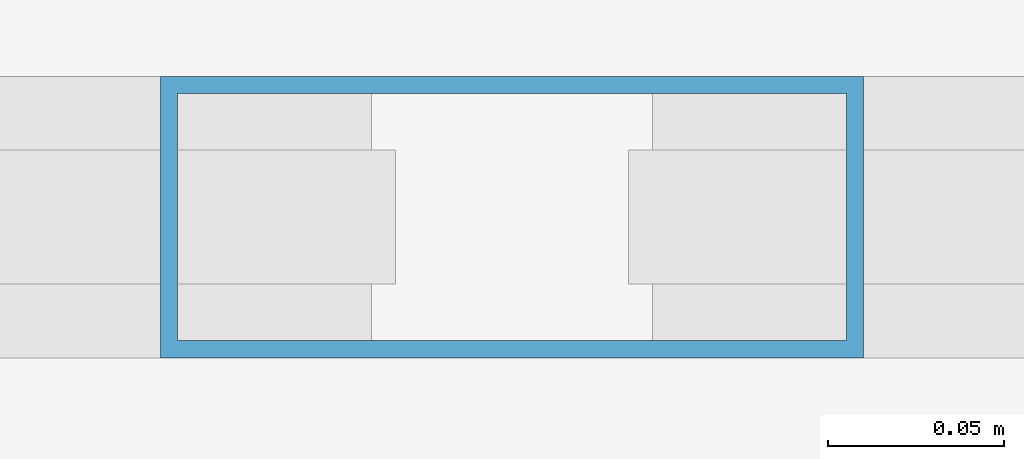
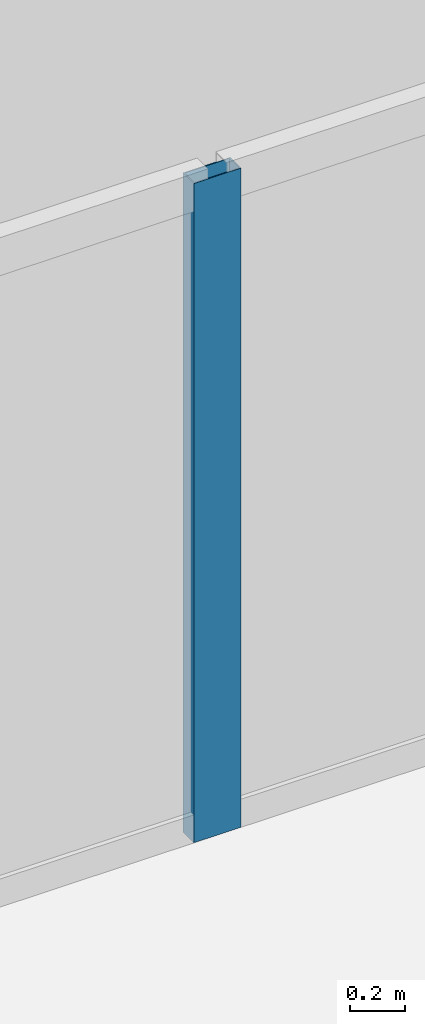
# One storey, part 12 of 21: 1 member, 1 element without a shape of its own.
"""IFC4 building model written with IfcOpenShell, lengths in metres."""

from ifc_helpers import new_model, si_unit, direction, frame, origin, origin_2d, place, context, subcontext, project, spatial, hollow_rectangle, extrude, source, transform, mapped, material, layer, layer_set, material_profile, profile_set, type_object, element, aggregate, save


model = new_model("IFC4")

# Units and contexts
model_context = context("Model", 3, precision=1e-05, world=origin(), true_north=direction((0.0, 1.0)))
body_context = subcontext(model_context, "Body", "Model", "MODEL_VIEW")
ifc_project = project(units=[si_unit("LENGTHUNIT", "METRE"), si_unit("AREAUNIT", "SQUARE_METRE"), si_unit("VOLUMEUNIT", "CUBIC_METRE"), si_unit("PLANEANGLEUNIT", "RADIAN"), si_unit("MASSUNIT", "GRAM", prefix="KILO")], contexts=[model_context])

# Site, building, storey
site_placement = place(None, origin())
site = spatial("IfcSite", under=ifc_project, at=site_placement, CompositionType="ELEMENT")
building_placement = place(site_placement, origin())
building = spatial("IfcBuilding", under=site, at=building_placement, Name="Kolveth Station Tower", CompositionType="ELEMENT")
storey_placement = place(building_placement, frame((0.0, 0.0, 95.89990234375)))
storey = spatial("IfcBuildingStorey", under=building, at=storey_placement, Name="L25", CompositionType="ELEMENT", Elevation=95.89990234375)

# Curtain wall, member
ifc_material_1 = material(Name="Aluminium 6063-T6 and low-E dark glass", Category="aluminium")
ifc_layer = layer(ifc_material_1, 0.18994140625)
ifc_layer_set = layer_set([ifc_layer], Name="Aluminium 6063-T6 and low-E dark glass")
curtain_wall_type = type_object("IfcCurtainWallType", Name="CurtainWall_CW-Z2", PredefinedType="NOTDEFINED", material=ifc_layer_set)
curtain_wall_placement = place(storey_placement, origin())
curtain_wall = element("IfcCurtainWall", 1, at=curtain_wall_placement, inside=storey, type_object=curtain_wall_type, Name="L25 Inner Thermal Curtain Wall 6", PredefinedType="NOTDEFINED")
ifc_material_2 = material(Name="Black anodized aluminium 6063-T6", Category="aluminium")
ifc_material_profile = material_profile(ifc_material_2, hollow_rectangle(XDim=0.080078125, YDim=0.199951171875, WallThickness=0.0048828125, at=origin_2d()), Name="ALU-80x200x5")
ifc_profile_set = profile_set([ifc_material_profile], Name="Black anodized aluminium 6063-T6")
member_type = type_object("IfcMemberType", Name="Mullion_ML2", PredefinedType="MULLION", material=ifc_profile_set)
shared_shape = source(origin(), body_context, "Body", "SweptSolid", [
    extrude(hollow_rectangle(XDim=0.080078125, YDim=0.199951171875, WallThickness=0.0048828125, at=origin_2d()), origin(), (0.0, 0.0, 1.0), 2.9501953125),
])
member_placement = place(storey_placement, frame((23.5, 35.179931640625, 0.0), z_axis=(0.0, 0.0, 1.0), x_axis=(0.0, -1.0, 0.0)))
member = element("IfcMember", 2, at=member_placement, type_object=member_type, Name="CW-Z2 mullion 2", PredefinedType="MULLION", context=body_context, shape_type="MappedRepresentation", body=[
    mapped(shared_shape, transform((0.0, 0.0, 0.0), x_axis=(1.0, 0.0, 0.0), y_axis=(0.0, 1.0, 0.0), z_axis=(0.0, 0.0, 1.0), scale=1.0)),
])
aggregate(curtain_wall, [member])

save(model, "model.ifc")
